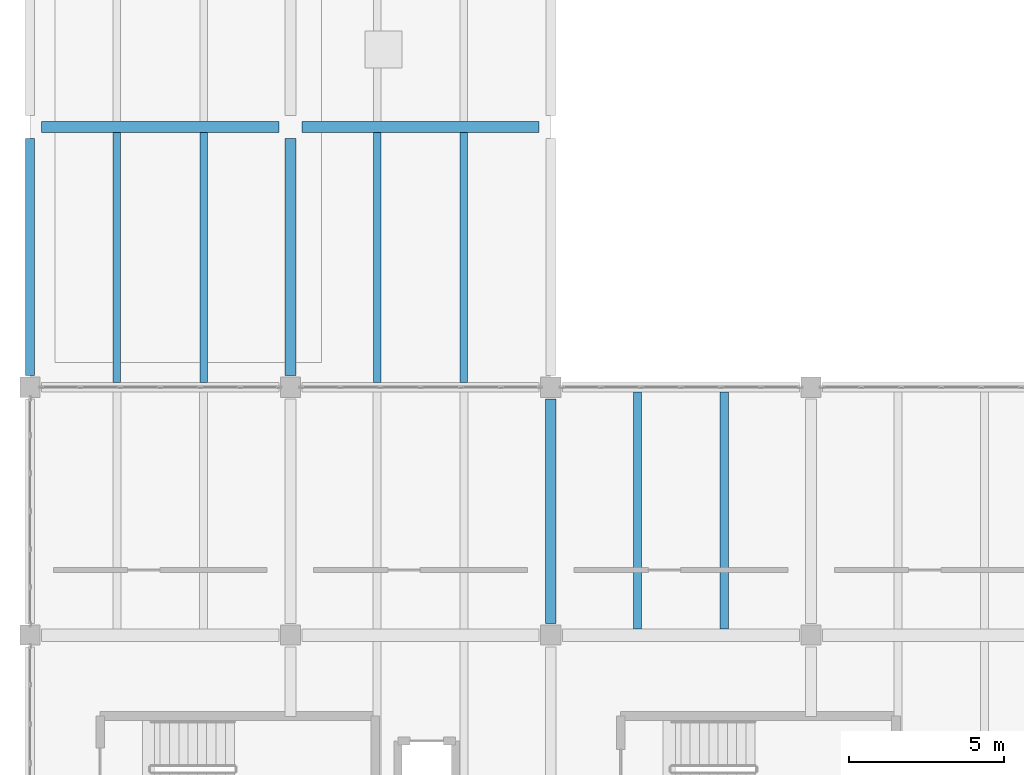
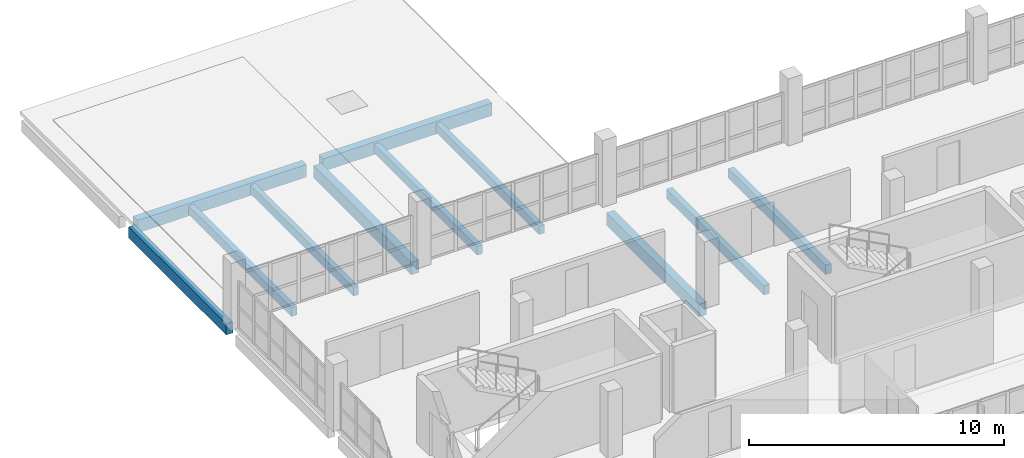
# One storey, part 11 of 33: 11 beams.
"""IFC4 building model written with IfcOpenShell, lengths in metres."""

from ifc_helpers import new_model, si_unit, direction, frame, origin, origin_2d, place, context, subcontext, project, spatial, rectangle, extrude, material, material_profile, profile_set, type_object, element, save


model = new_model("IFC4")

# Units and contexts
model_context = context("Model", 3, precision=1e-05, world=origin(), true_north=direction((0.0, 1.0)))
body_context = subcontext(model_context, "Body", "Model", "MODEL_VIEW")
ifc_project = project(units=[si_unit("LENGTHUNIT", "METRE"), si_unit("AREAUNIT", "SQUARE_METRE"), si_unit("VOLUMEUNIT", "CUBIC_METRE"), si_unit("PLANEANGLEUNIT", "RADIAN"), si_unit("MASSUNIT", "GRAM", prefix="KILO"), si_unit("THERMODYNAMICTEMPERATUREUNIT", "KELVIN"), si_unit("POWERUNIT", "WATT")], contexts=[model_context])

# Site, building, storey
site_placement = place(None, origin())
site = spatial("IfcSite", under=ifc_project, at=site_placement, CompositionType="ELEMENT")
building_placement = place(site_placement, origin())
building = spatial("IfcBuilding", under=site, at=building_placement, Name="Mavoryth Pier Ferry Terminal", CompositionType="ELEMENT")
storey_placement = place(building_placement, frame((0.0, 0.0, 13.1201171875)))
storey = spatial("IfcBuildingStorey", under=building, at=storey_placement, Name="L03", CompositionType="ELEMENT", Elevation=13.1201171875)

# Beams
ifc_material = material(Name="Concrete C35/45", Category="concrete")
ifc_material_profile_1 = material_profile(ifc_material, rectangle(XDim=0.35009765625, YDim=0.60009765625, at=origin_2d()), Name="RC 350x600", Category="concrete")
ifc_profile_set_1 = profile_set([ifc_material_profile_1], Name="Concrete C35/45 - RC 350x600")
beam_type_1 = type_object("IfcBeamType", Name="Girder-RC-350x600", PredefinedType="BEAM", material=ifc_profile_set_1)
beam_1_placement = place(storey_placement, frame((58.800048828125, 14.375, -0.56005859375), z_axis=(0.0, 1.0, 0.0), x_axis=(-1.0, 0.0, 0.0)))
element("IfcBeam", 1, at=beam_1_placement, inside=storey, type_object=beam_type_1, Name="Beam B03-BG08-1265", PredefinedType="BEAM", context=body_context, shape_type="SweptSolid", body=[
    extrude(rectangle(XDim=0.35009765625, YDim=0.60009765625, at=origin_2d()), origin(), (0.0, 0.0, 1.0), 7.25),
])
beam_2_placement = place(storey_placement, frame((42.375, 30.39990234375, -0.460205078125), z_axis=(1.0, 0.0, 0.0), x_axis=(0.0, 1.0, 0.0)))
element("IfcBeam", 2, at=beam_2_placement, inside=storey, type_object=beam_type_1, Name="Beam B03-BG08-1310", PredefinedType="BEAM", context=body_context, shape_type="SweptSolid", body=[
    extrude(rectangle(XDim=0.35009765625, YDim=0.60009765625, at=origin_2d()), origin(), (0.0, 0.0, 1.0), 7.64990234375),
])
beam_3_placement = place(storey_placement, frame((50.77490234375, 30.39990234375, -0.460205078125), z_axis=(1.0, 0.0, 0.0), x_axis=(0.0, 1.0, 0.0)))
element("IfcBeam", 3, at=beam_3_placement, inside=storey, type_object=beam_type_1, Name="Beam B03-BG08-1311", PredefinedType="BEAM", context=body_context, shape_type="SweptSolid", body=[
    extrude(rectangle(XDim=0.35009765625, YDim=0.60009765625, at=origin_2d()), origin(), (0.0, 0.0, 1.0), 7.650146484375),
])
beam_4_placement = place(storey_placement, frame((50.39990234375, 22.375, -0.460205078125), z_axis=(0.0, 1.0, 0.0), x_axis=(-1.0, 0.0, 0.0)))
element("IfcBeam", 4, at=beam_4_placement, inside=storey, type_object=beam_type_1, Name="Beam B03-BG08-1316", PredefinedType="BEAM", context=body_context, shape_type="SweptSolid", body=[
    extrude(rectangle(XDim=0.35009765625, YDim=0.60009765625, at=origin_2d()), origin(), (0.0, 0.0, 1.0), 7.64990234375),
])
ifc_material_profile_2 = material_profile(ifc_material, rectangle(XDim=0.239990234375, YDim=0.419921875, at=origin_2d()), Name="RC 240x420", Category="concrete")
ifc_profile_set_2 = profile_set([ifc_material_profile_2], Name="Concrete C35/45 - RC 240x420")
beam_type_2 = type_object("IfcBeamType", Name="Joist-RC-240x420", PredefinedType="JOIST", material=ifc_profile_set_2)
for number, where, z_axis, x_axis, name in (
    (5, (44.800048828125, 22.14990234375, -0.47021484375), (0.0, 1.0, 0.0), (-1.0, 0.0, 0.0), "Beam B03-BJ04-1320"),
    (6, (47.60009765625, 22.14990234375, -0.47021484375), (0.0, 1.0, 0.0), (-1.0, 0.0, 0.0), "Beam B03-BJ04-1321"),
    (7, (53.199951171875, 22.14990234375, -0.47021484375), (0.0, 1.0, 0.0), (-1.0, 0.0, 0.0), "Beam B03-BJ04-1324"),
    (8, (56.0, 22.14990234375, -0.47021484375), (0.0, 1.0, 0.0), (-1.0, 0.0, 0.0), "Beam B03-BJ04-1325"),
):
    element("IfcBeam", number, at=place(storey_placement, frame(where, z_axis=z_axis, x_axis=x_axis)), inside=storey, type_object=beam_type_2, Name=name, PredefinedType="JOIST", context=body_context, shape_type="SweptSolid", body=[
        extrude(rectangle(XDim=0.239990234375, YDim=0.419921875, at=origin_2d()), origin(), (0.0, 0.0, 1.0), 8.0751953125),
    ])
ifc_material_profile_3 = material_profile(ifc_material, rectangle(XDim=0.260009765625, YDim=0.449951171875, at=origin_2d()), Name="RC 260x450", Category="concrete")
ifc_profile_set_3 = profile_set([ifc_material_profile_3], Name="Concrete C35/45 - RC 260x450")
beam_type_3 = type_object("IfcBeamType", Name="Joist-RC-260x450", PredefinedType="JOIST", material=ifc_profile_set_3)
for number, where, z_axis, x_axis, name in (
    (9, (61.60009765625, 14.199951171875, -0.485107421875), (0.0, 1.0, 0.0), (-1.0, 0.0, 0.0), "Beam B03-BJ03-1290"),
    (10, (64.39990234375, 14.199951171875, -0.485107421875), (0.0, 1.0, 0.0), (-1.0, 0.0, 0.0), "Beam B03-BJ03-1291"),
):
    element("IfcBeam", number, at=place(storey_placement, frame(where, z_axis=z_axis, x_axis=x_axis)), inside=storey, type_object=beam_type_3, Name=name, PredefinedType="JOIST", context=body_context, shape_type="SweptSolid", body=[
        extrude(rectangle(XDim=0.260009765625, YDim=0.449951171875, at=origin_2d()), origin(), (0.0, 0.0, 1.0), 7.650146484375),
    ])
ifc_material_profile_4 = material_profile(ifc_material, rectangle(XDim=0.300048828125, YDim=0.5400390625, at=origin_2d()), Name="RC 300x540", Category="concrete")
ifc_profile_set_4 = profile_set([ifc_material_profile_4], Name="Concrete C35/45 - RC 300x540")
beam_type_4 = type_object("IfcBeamType", Name="Spandrel-RC-300x540", PredefinedType="SPANDREL", material=ifc_profile_set_4)
beam_5_placement = place(storey_placement, frame((42.0, 22.375, -0.43017578125), z_axis=(0.0, 1.0, 0.0), x_axis=(-1.0, 0.0, 0.0)))
element("IfcBeam", 11, at=beam_5_placement, inside=storey, type_object=beam_type_4, Name="Beam B03-SP02-1314", PredefinedType="SPANDREL", context=body_context, shape_type="SweptSolid", body=[
    extrude(rectangle(XDim=0.300048828125, YDim=0.5400390625, at=origin_2d()), origin(), (0.0, 0.0, 1.0), 7.64990234375),
])

save(model, "model.ifc")
